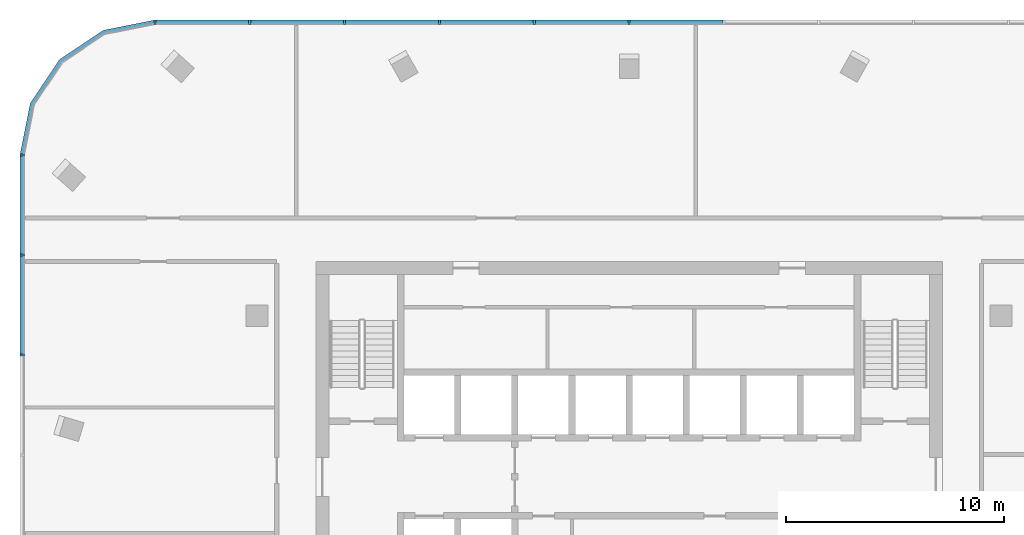
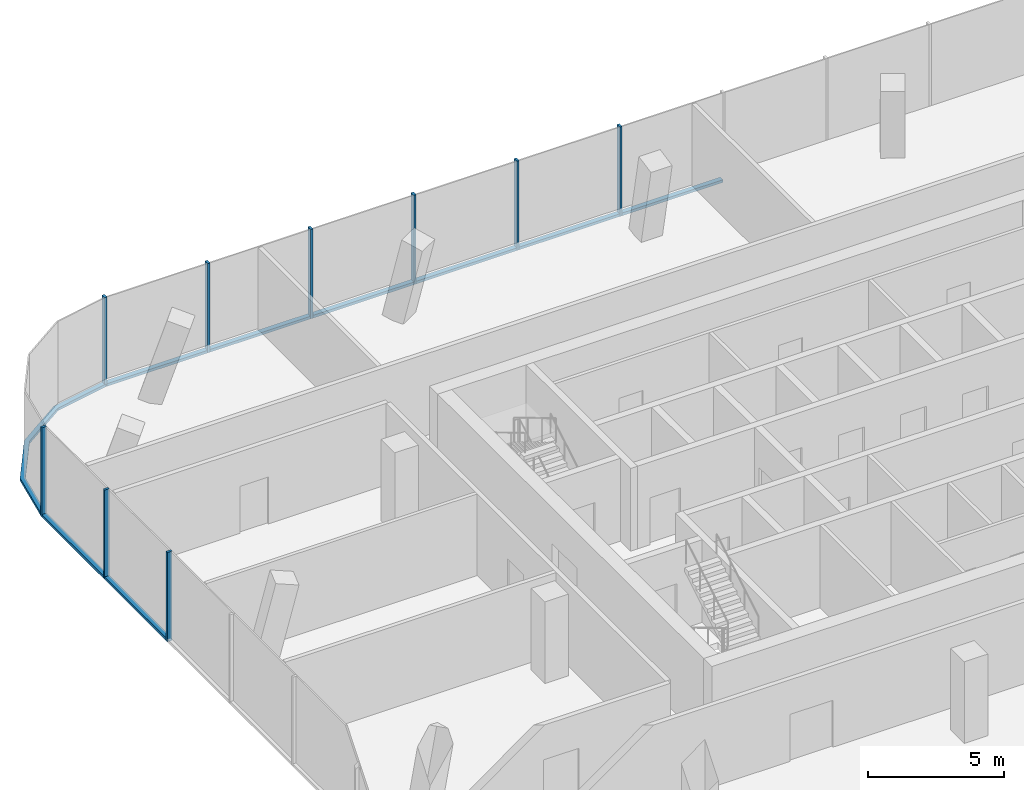
# One storey, part 4 of 10: 18 members, 3 elements without a shape of their own.
"""IFC4 building model written with IfcOpenShell, lengths in metres."""

from ifc_helpers import new_model, si_unit, direction, frame, origin, origin_2d, place, context, subcontext, project, spatial, polyline, rectangle, outline, extrude, material, material_profile, profile_set, type_object, element, aggregate, save


model = new_model("IFC4")

# Units and contexts
model_context = context("Model", 3, precision=1e-05, world=origin(), true_north=direction((0.0, 1.0)))
body_context = subcontext(model_context, "Body", "Model", "MODEL_VIEW")
ifc_project = project(units=[si_unit("LENGTHUNIT", "METRE"), si_unit("AREAUNIT", "SQUARE_METRE"), si_unit("VOLUMEUNIT", "CUBIC_METRE"), si_unit("PLANEANGLEUNIT", "RADIAN"), si_unit("MASSUNIT", "GRAM", prefix="KILO")], contexts=[model_context])

# Site, building, storey
site_placement = place(None, origin())
site = spatial("IfcSite", under=ifc_project, at=site_placement, CompositionType="ELEMENT")
building_placement = place(site_placement, origin())
building = spatial("IfcBuilding", under=site, at=building_placement, Name="Mopane Tessera Tower", CompositionType="ELEMENT")
storey_placement = place(building_placement, frame((0.0, 0.0, 325.39990234375)))
storey = spatial("IfcBuildingStorey", under=building, at=storey_placement, Name="L71", CompositionType="ELEMENT", Elevation=325.39990234375)

# Curtain wall, members
ifc_material_1 = material(Name="Aluminium frame", Category="aluminium")
curtain_wall_type = type_object("IfcCurtainWallType", Name="Unitised curtain wall", PredefinedType="NOTDEFINED", material=ifc_material_1)
curtain_wall_1_placement = place(storey_placement, origin())
curtain_wall_1 = element("IfcCurtainWall", 1, at=curtain_wall_1_placement, inside=storey, type_object=curtain_wall_type, Name="e:cw:L71:N:0", PredefinedType="NOTDEFINED")
ifc_material_2 = material(Name="Aluminium frame", Category="aluminium")
ifc_material_profile_1 = material_profile(ifc_material_2, rectangle(XDim=0.10009765625, YDim=0.199951171875, at=origin_2d()))
ifc_profile_set_1 = profile_set([ifc_material_profile_1], Name="Aluminium frame")
member_type_1 = type_object("IfcMemberType", Name="Aluminium mullion 100 x 200", PredefinedType="MULLION", material=ifc_profile_set_1)
member_1_placement = place(storey_placement, frame((0.0, 24.5, -0.349853515625), z_axis=(0.0, 0.0, 1.0), x_axis=(-1.0, 0.0, 0.0)))
member_1 = element("IfcMember", 2, at=member_1_placement, type_object=member_type_1, Name="e:cw:L71:N:0:mu5", PredefinedType="MULLION", context=body_context, shape_type="SweptSolid", body=[
    extrude(rectangle(XDim=0.10009765625, YDim=0.199951171875, at=origin_2d()), origin(), (0.0, 0.0, 1.0), 4.0),
])
member_2_placement = place(storey_placement, frame((-4.360107421875, 24.5, -0.349853515625), z_axis=(0.0, 0.0, 1.0), x_axis=(-1.0, 0.0, 0.0)))
member_2 = element("IfcMember", 3, at=member_2_placement, type_object=member_type_1, Name="e:cw:L71:N:0:mu6", PredefinedType="MULLION", context=body_context, shape_type="SweptSolid", body=[
    extrude(rectangle(XDim=0.10009765625, YDim=0.199951171875, at=origin_2d()), origin(), (0.0, 0.0, 1.0), 4.0),
])
member_3_placement = place(storey_placement, frame((-8.719970703125, 24.5, -0.349853515625), z_axis=(0.0, 0.0, 1.0), x_axis=(-1.0, 0.0, 0.0)))
member_3 = element("IfcMember", 4, at=member_3_placement, type_object=member_type_1, Name="e:cw:L71:N:0:mu7", PredefinedType="MULLION", context=body_context, shape_type="SweptSolid", body=[
    extrude(rectangle(XDim=0.10009765625, YDim=0.199951171875, at=origin_2d()), origin(), (0.0, 0.0, 1.0), 4.0),
])
member_4_placement = place(storey_placement, frame((-13.080078125, 24.5, -0.349853515625), z_axis=(0.0, 0.0, 1.0), x_axis=(-1.0, 0.0, 0.0)))
member_4 = element("IfcMember", 5, at=member_4_placement, type_object=member_type_1, Name="e:cw:L71:N:0:mu8", PredefinedType="MULLION", context=body_context, shape_type="SweptSolid", body=[
    extrude(rectangle(XDim=0.10009765625, YDim=0.199951171875, at=origin_2d()), origin(), (0.0, 0.0, 1.0), 4.0),
])
member_5_placement = place(storey_placement, frame((-17.43994140625, 24.5, -0.349853515625), z_axis=(0.0, 0.0, 1.0), x_axis=(-1.0, 0.0, 0.0)))
member_5 = element("IfcMember", 6, at=member_5_placement, type_object=member_type_1, Name="e:cw:L71:N:0:mu9", PredefinedType="MULLION", context=body_context, shape_type="SweptSolid", body=[
    extrude(rectangle(XDim=0.10009765625, YDim=0.199951171875, at=origin_2d()), origin(), (0.0, 0.0, 1.0), 4.0),
])
member_6_placement = place(storey_placement, frame((-21.800048828125, 24.5, -0.349853515625), z_axis=(0.0, 0.0, 1.0), x_axis=(-1.0, 0.0, 0.0)))
member_6 = element("IfcMember", 7, at=member_6_placement, type_object=member_type_1, Name="e:cw:L71:N:0:mu10", PredefinedType="MULLION", context=body_context, shape_type="SweptSolid", body=[
    extrude(rectangle(XDim=0.10009765625, YDim=0.199951171875, at=origin_2d()), origin(), (0.0, 0.0, 1.0), 4.0),
])

curtain_wall_2_placement = place(storey_placement, origin())
curtain_wall_2 = element("IfcCurtainWall", 8, at=curtain_wall_2_placement, inside=storey, type_object=curtain_wall_type, Name="e:cw:L71:W:0", PredefinedType="NOTDEFINED")
member_7_placement = place(storey_placement, frame((-27.89990234375, 18.39990234375, -0.349853515625), z_axis=(0.0, 0.0, 1.0), x_axis=(0.0, -1.0, 0.0)))
member_7 = element("IfcMember", 9, at=member_7_placement, type_object=member_type_1, Name="e:cw:L71:W:0:mu0", PredefinedType="MULLION", context=body_context, shape_type="SweptSolid", body=[
    extrude(rectangle(XDim=0.10009765625, YDim=0.199951171875, at=origin_2d()), origin(), (0.0, 0.0, 1.0), 4.0),
])
member_8_placement = place(storey_placement, frame((-27.89990234375, 13.800048828125, -0.349853515625), z_axis=(0.0, 0.0, 1.0), x_axis=(0.0, -1.0, 0.0)))
member_8 = element("IfcMember", 10, at=member_8_placement, type_object=member_type_1, Name="e:cw:L71:W:0:mu1", PredefinedType="MULLION", context=body_context, shape_type="SweptSolid", body=[
    extrude(rectangle(XDim=0.10009765625, YDim=0.199951171875, at=origin_2d()), origin(), (0.0, 0.0, 1.0), 4.0),
])
member_9_placement = place(storey_placement, frame((-27.89990234375, 9.199951171875, -0.349853515625), z_axis=(0.0, 0.0, 1.0), x_axis=(0.0, -1.0, 0.0)))
member_9 = element("IfcMember", 11, at=member_9_placement, type_object=member_type_1, Name="e:cw:L71:W:0:mu2", PredefinedType="MULLION", context=body_context, shape_type="SweptSolid", body=[
    extrude(rectangle(XDim=0.10009765625, YDim=0.199951171875, at=origin_2d()), origin(), (0.0, 0.0, 1.0), 4.0),
])

# Member
ifc_material_3 = material(Name="Aluminium frame", Category="aluminium")
ifc_material_profile_2 = material_profile(ifc_material_3, rectangle(XDim=0.199951171875, YDim=0.1201171875, at=origin_2d()))
ifc_profile_set_2 = profile_set([ifc_material_profile_2], Name="Aluminium frame")
member_type_2 = type_object("IfcMemberType", Name="Aluminium transom 200 x 120", PredefinedType="USERDEFINED", material=ifc_profile_set_2)
member_10_placement = place(storey_placement, frame((4.31005859375, 24.5, -0.289794921875), z_axis=(-1.0, 0.0, 0.0), x_axis=(0.0, -1.0, 0.0)))
member_10 = element("IfcMember", 12, at=member_10_placement, type_object=member_type_2, Name="e:cw:L71:N:0:tr4", ObjectType="TRANSOM", PredefinedType="USERDEFINED", context=body_context, shape_type="SweptSolid", body=[
    extrude(rectangle(XDim=0.199951171875, YDim=0.1201171875, at=origin_2d()), origin(), (0.0, 0.0, 1.0), 4.260009765625),
])

member_11_placement = place(storey_placement, frame((-0.050048828125, 24.5, -0.289794921875), z_axis=(-1.0, 0.0, 0.0), x_axis=(0.0, -1.0, 0.0)))
member_11 = element("IfcMember", 13, at=member_11_placement, type_object=member_type_2, Name="e:cw:L71:N:0:tr5", ObjectType="TRANSOM", PredefinedType="USERDEFINED", context=body_context, shape_type="SweptSolid", body=[
    extrude(rectangle(XDim=0.199951171875, YDim=0.1201171875, at=origin_2d()), origin(), (0.0, 0.0, 1.0), 4.260009765625),
])

member_12_placement = place(storey_placement, frame((-4.409912109375, 24.5, -0.289794921875), z_axis=(-1.0, 0.0, 0.0), x_axis=(0.0, -1.0, 0.0)))
member_12 = element("IfcMember", 14, at=member_12_placement, type_object=member_type_2, Name="e:cw:L71:N:0:tr6", ObjectType="TRANSOM", PredefinedType="USERDEFINED", context=body_context, shape_type="SweptSolid", body=[
    extrude(rectangle(XDim=0.199951171875, YDim=0.1201171875, at=origin_2d()), origin(), (0.0, 0.0, 1.0), 4.260009765625),
])

member_13_placement = place(storey_placement, frame((-8.77001953125, 24.5, -0.289794921875), z_axis=(-1.0, 0.0, 0.0), x_axis=(0.0, -1.0, 0.0)))
member_13 = element("IfcMember", 15, at=member_13_placement, type_object=member_type_2, Name="e:cw:L71:N:0:tr7", ObjectType="TRANSOM", PredefinedType="USERDEFINED", context=body_context, shape_type="SweptSolid", body=[
    extrude(rectangle(XDim=0.199951171875, YDim=0.1201171875, at=origin_2d()), origin(), (0.0, 0.0, 1.0), 4.260009765625),
])

member_14_placement = place(storey_placement, frame((-13.1298828125, 24.5, -0.289794921875), z_axis=(-1.0, 0.0, 0.0), x_axis=(0.0, -1.0, 0.0)))
member_14 = element("IfcMember", 16, at=member_14_placement, type_object=member_type_2, Name="e:cw:L71:N:0:tr8", ObjectType="TRANSOM", PredefinedType="USERDEFINED", context=body_context, shape_type="SweptSolid", body=[
    extrude(rectangle(XDim=0.199951171875, YDim=0.1201171875, at=origin_2d()), origin(), (0.0, 0.0, 1.0), 4.260009765625),
])

member_15_placement = place(storey_placement, frame((-17.489990234375, 24.5, -0.289794921875), z_axis=(-1.0, 0.0, 0.0), x_axis=(0.0, -1.0, 0.0)))
member_15 = element("IfcMember", 17, at=member_15_placement, type_object=member_type_2, Name="e:cw:L71:N:0:tr9", ObjectType="TRANSOM", PredefinedType="USERDEFINED", context=body_context, shape_type="SweptSolid", body=[
    extrude(rectangle(XDim=0.199951171875, YDim=0.1201171875, at=origin_2d()), origin(), (0.0, 0.0, 1.0), 4.260009765625),
])

aggregate(curtain_wall_1, [member_1, member_2, member_3, member_4, member_5, member_6, member_10, member_11, member_12, member_13, member_14, member_15])

# Curtain wall, member
curtain_wall_3_placement = place(storey_placement, origin())
curtain_wall_3 = element("IfcCurtainWall", 18, at=curtain_wall_3_placement, inside=storey, type_object=curtain_wall_type, Name="e:cw:L71:CN", PredefinedType="NOTDEFINED")
member_16_placement = place(storey_placement, frame((0.0, 0.0, -0.349853515625)))
member_16 = element("IfcMember", 19, at=member_16_placement, type_object=member_type_2, Name="e:cw:L71:CN:tr", ObjectType="TRANSOM", PredefinedType="USERDEFINED", context=body_context, shape_type="SweptSolid", body=[
    extrude(outline(polyline([(-21.800048828125, 24.39990234375), (-24.09619140625, 23.943359375), (-26.042724609375, 22.642578125), (-27.34326171875, 20.696044921875), (-27.800048828125, 18.39990234375), (-28.0, 18.39990234375), (-27.528076171875, 20.772705078125), (-26.18408203125, 22.7841796875), (-24.172607421875, 24.128173828125), (-21.800048828125, 24.60009765625), (-21.800048828125, 24.39990234375)])), origin(), (0.0, 0.0, 1.0), 0.119873046875),
])
aggregate(curtain_wall_3, [member_16])

# Member
member_17_placement = place(storey_placement, frame((-27.89990234375, 18.35009765625, -0.289794921875), z_axis=(0.0, -1.0, 0.0), x_axis=(1.0, 0.0, 0.0)))
member_17 = element("IfcMember", 20, at=member_17_placement, type_object=member_type_2, Name="e:cw:L71:W:0:tr0", ObjectType="TRANSOM", PredefinedType="USERDEFINED", context=body_context, shape_type="SweptSolid", body=[
    extrude(rectangle(XDim=0.199951171875, YDim=0.1201171875, at=origin_2d()), origin(), (0.0, 0.0, 1.0), 4.5),
])

member_18_placement = place(storey_placement, frame((-27.89990234375, 13.75, -0.289794921875), z_axis=(0.0, -1.0, 0.0), x_axis=(1.0, 0.0, 0.0)))
member_18 = element("IfcMember", 21, at=member_18_placement, type_object=member_type_2, Name="e:cw:L71:W:0:tr1", ObjectType="TRANSOM", PredefinedType="USERDEFINED", context=body_context, shape_type="SweptSolid", body=[
    extrude(rectangle(XDim=0.199951171875, YDim=0.1201171875, at=origin_2d()), origin(), (0.0, 0.0, 1.0), 4.5),
])

aggregate(curtain_wall_2, [member_7, member_8, member_9, member_17, member_18])

save(model, "model.ifc")
